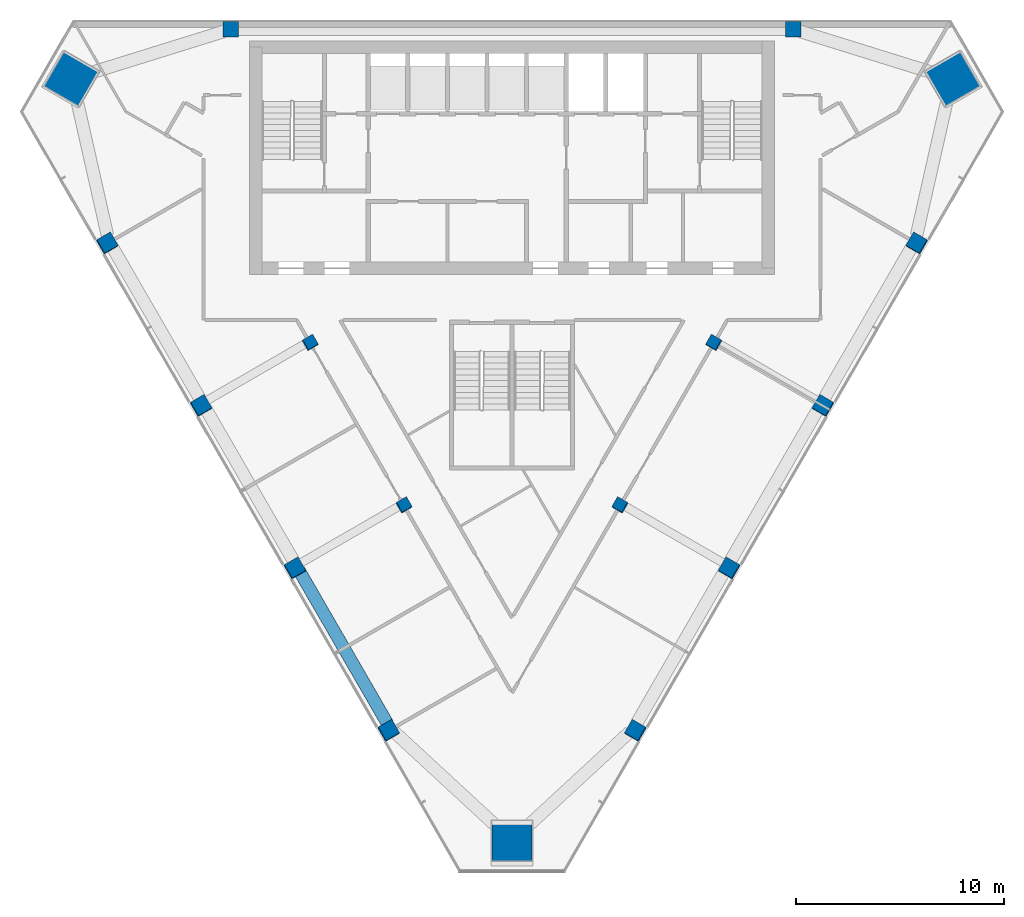
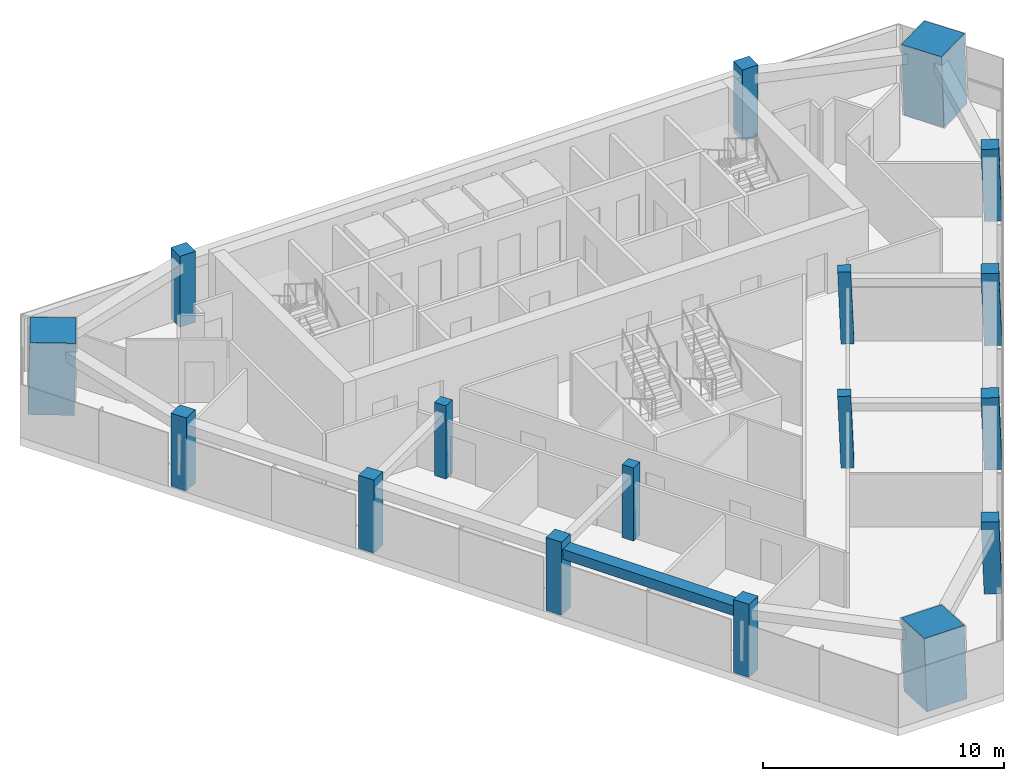
# One storey, part 1 of 12: 17 columns, 1 beam.
"""IFC4 building model written with IfcOpenShell, lengths in metres."""

from ifc_helpers import new_model, si_unit, direction, frame, origin, origin_2d, place, context, subcontext, project, spatial, rectangle, extrude, material, material_profile, profile_set, type_object, element, save


model = new_model("IFC4")

# Units and contexts
model_context = context("Model", 3, precision=1e-05, world=origin(), true_north=direction((0.0, 1.0)))
body_context = subcontext(model_context, "Body", "Model", "MODEL_VIEW")
ifc_project = project(units=[si_unit("LENGTHUNIT", "METRE"), si_unit("AREAUNIT", "SQUARE_METRE"), si_unit("VOLUMEUNIT", "CUBIC_METRE"), si_unit("PLANEANGLEUNIT", "RADIAN"), si_unit("MASSUNIT", "GRAM", prefix="KILO")], contexts=[model_context])

# Site, building, storey
site_placement = place(None, origin())
site = spatial("IfcSite", under=ifc_project, at=site_placement, CompositionType="ELEMENT")
building_placement = place(site_placement, origin())
building = spatial("IfcBuilding", under=site, at=building_placement, Name="Altiplano Prism Tower", CompositionType="ELEMENT")
storey_placement = place(building_placement, frame((0.0, 0.0, 257.199951171875)))
storey = spatial("IfcBuildingStorey", under=building, at=storey_placement, Name="L66", CompositionType="ELEMENT", Elevation=257.199951171875)

# Columns
ifc_material_1 = material(Name="Concrete C60/75", Category="concrete")
ifc_material_profile_1 = material_profile(ifc_material_1, rectangle(XDim=0.550048828125, YDim=0.550048828125, at=origin_2d()), Name="Inner column 550")
ifc_profile_set_1 = profile_set([ifc_material_profile_1], Name="Concrete C60/75")
column_type_1 = type_object("IfcColumnType", Name="Inner column 550", PredefinedType="COLUMN", material=ifc_profile_set_1)
for number, where, z_axis, x_axis, name in (
    (1, (75.30712890625, 89.505615234375, -0.0166015625), (0.022222852987, 0.038483477124, 0.999012095419), (-0.865639352107, -0.499186721818, 0.038485436791), "Inner column I12 L66"),
    (2, (79.80712890625, 81.71142578125, -0.0166015625), (0.022222852987, 0.038483477124, 0.999012095419), (-0.865639352107, -0.499186721818, 0.038485436791), "Inner column I13 L66"),
    (3, (90.19287109375, 81.71142578125, -0.0166015625), (-0.022222852987, 0.038483477124, 0.999012095419), (-0.500174626395, -0.865639439229, 0.022219459073), "Inner column I22 L66"),
    (4, (94.69287109375, 89.505615234375, -0.0166015625), (-0.022222852987, 0.038483477124, 0.999012095419), (-0.500174626395, -0.865639439229, 0.022219459073), "Inner column I23 L66"),
):
    element("IfcColumn", number, at=place(storey_placement, frame(where, z_axis=z_axis, x_axis=x_axis)), inside=storey, type_object=column_type_1, Name=name, PredefinedType="COLUMN", context=body_context, shape_type="SweptSolid", body=[
        extrude(rectangle(XDim=0.550048828125, YDim=0.550048828125, at=origin_2d()), origin(), (0.0, 0.0, 1.0), 3.603515625),
    ])
ifc_material_2 = material(Name="Concrete C70/85", Category="concrete")
ifc_material_profile_2 = material_profile(ifc_material_2, rectangle(XDim=1.919921875, YDim=1.919921875, at=origin_2d()), Name="Mega column infill 2000")
ifc_profile_set_2 = profile_set([ifc_material_profile_2], Name="Concrete C70/85")
column_type_2 = type_object("IfcColumnType", Name="Mega column infill 2000", PredefinedType="COLUMN", material=ifc_profile_set_2)
column_1_placement = place(storey_placement, frame((63.791259765625, 102.151123046875, 0.0), z_axis=(0.028401814599, 0.009218727412, 0.999554076572), x_axis=(-0.865127412315, 0.50115482208, 0.019960079341)))
element("IfcColumn", 5, at=column_1_placement, inside=storey, type_object=column_type_2, Name="Mega column M0 L66", PredefinedType="COLUMN", context=body_context, shape_type="SweptSolid", body=[
    extrude(rectangle(XDim=1.919921875, YDim=1.919921875, at=origin_2d()), origin(), (0.0, 0.0, 1.0), 3.601806640625),
])
column_2_placement = place(storey_placement, frame((85.0, 65.416259765625, 0.0), z_axis=(0.0, 0.058356907999, 0.998295783467), x_axis=(-1.0, 0.0, 0.0)))
element("IfcColumn", 6, at=column_2_placement, inside=storey, type_object=column_type_2, Name="Mega column M1 L66", PredefinedType="COLUMN", context=body_context, shape_type="SweptSolid", body=[
    extrude(rectangle(XDim=1.919921875, YDim=1.919921875, at=origin_2d()), origin(), (0.0, 0.0, 1.0), 3.606201171875),
])
column_3_placement = place(storey_placement, frame((106.208740234375, 102.151123046875, 0.0), z_axis=(-0.028401814599, 0.009218727412, 0.999554076572), x_axis=(0.500747338873, -0.865308534207, 0.022209080133)))
element("IfcColumn", 7, at=column_3_placement, inside=storey, type_object=column_type_2, Name="Mega column M2 L66", PredefinedType="COLUMN", context=body_context, shape_type="SweptSolid", body=[
    extrude(rectangle(XDim=1.919921875, YDim=1.919921875, at=origin_2d()), origin(), (0.0, 0.0, 1.0), 3.601806640625),
])
ifc_material_profile_3 = material_profile(ifc_material_1, rectangle(XDim=0.75, YDim=0.75, at=origin_2d()), Name="Perimeter column 750")
ifc_profile_set_3 = profile_set([ifc_material_profile_3], Name="Concrete C60/75")
column_type_3 = type_object("IfcColumnType", Name="Perimeter column 750", PredefinedType="COLUMN", material=ifc_profile_set_3)
for number, where, z_axis, x_axis, name in (
    (8, (98.5, 104.550048828125, 0.0), (0.0, 0.0, 1.0), (1.0, 0.0, 0.0), "Perimeter column P01 L66"),
    (9, (71.5, 104.550048828125, 0.0), (0.0, 0.0, 1.0), (1.0, 0.0, 0.0), "Perimeter column P04 L66"),
):
    element("IfcColumn", number, at=place(storey_placement, frame(where, z_axis=z_axis, x_axis=x_axis)), inside=storey, type_object=column_type_3, Name=name, PredefinedType="COLUMN", context=body_context, shape_type="SweptSolid", body=[
        extrude(rectangle(XDim=0.75, YDim=0.75, at=origin_2d()), origin(), (0.0, 0.0, 1.0), 3.60009765625),
    ])
for number, where, z_axis, x_axis, name in (
    (10, (65.567626953125, 94.274658203125, -0.022705078125), (0.022153634206, 0.038480930364, 0.999013730882), (-0.864979737564, -0.50033126583, 0.038453582882), "Perimeter column P11 L66"),
    (11, (70.067626953125, 86.48046875, -0.022705078125), (0.022153634206, 0.038480930364, 0.999013730882), (-0.864979737564, -0.50033126583, 0.038453582882), "Perimeter column P12 L66"),
    (12, (74.567626953125, 78.686279296875, -0.022705078125), (0.02215369191, 0.038413282303, 0.999016333038), (-0.865361996721, -0.499673729543, 0.03840284671), "Perimeter column P13 L66"),
    (13, (79.067626953125, 70.89208984375, -0.022705078125), (0.02215369191, 0.038413282303, 0.999016333038), (-0.865361996721, -0.499673729543, 0.03840284671), "Perimeter column P14 L66"),
    (14, (90.932373046875, 70.89208984375, -0.022705078125), (-0.02215369191, 0.038413282303, 0.999016333038), (-0.500657396395, -0.86536153355, 0.022171776814), "Perimeter column P21 L66"),
    (15, (95.432373046875, 78.686279296875, -0.022705078125), (-0.02215369191, 0.038413282303, 0.999016333038), (-0.500657396395, -0.86536153355, 0.022171776814), "Perimeter column P22 L66"),
    (16, (99.932373046875, 86.48046875, -0.022705078125), (-0.022153634206, 0.038480930364, 0.999013730882), (-0.501317534198, -0.86497852137, 0.022201069202), "Perimeter column P23 L66"),
    (17, (104.432373046875, 94.274658203125, -0.022705078125), (-0.022153634206, 0.038480930364, 0.999013730882), (-0.501317534198, -0.86497852137, 0.022201069202), "Perimeter column P24 L66"),
):
    element("IfcColumn", number, at=place(storey_placement, frame(where, z_axis=z_axis, x_axis=x_axis)), inside=storey, type_object=column_type_3, Name=name, PredefinedType="COLUMN", context=body_context, shape_type="SweptSolid", body=[
        extrude(rectangle(XDim=0.75, YDim=0.75, at=origin_2d()), origin(), (0.0, 0.0, 1.0), 3.603759765625),
    ])

# Beam
ifc_material_profile_4 = material_profile(ifc_material_1, rectangle(XDim=0.60009765625, YDim=0.5, at=origin_2d()), Name="Edge beam 600x500")
ifc_profile_set_4 = profile_set([ifc_material_profile_4], Name="Concrete C60/75")
beam_type = type_object("IfcBeamType", Name="Edge beam 600x500", PredefinedType="SPANDREL", material=ifc_profile_set_4)
beam_placement = place(storey_placement, frame((74.775634765625, 78.604736328125, 2.949951171875), z_axis=(0.49998963237, -0.866031389456, 0.0), x_axis=(0.866031389456, 0.49998963237, 0.0)))
element("IfcBeam", 18, at=beam_placement, inside=storey, type_object=beam_type, Name="Edge beam P13-P14 L67", PredefinedType="SPANDREL", context=body_context, shape_type="SweptSolid", body=[
    extrude(rectangle(XDim=0.60009765625, YDim=0.5, at=origin_2d()), origin(), (0.0, 0.0, 1.0), 8.489990234375),
])

save(model, "model.ifc")
